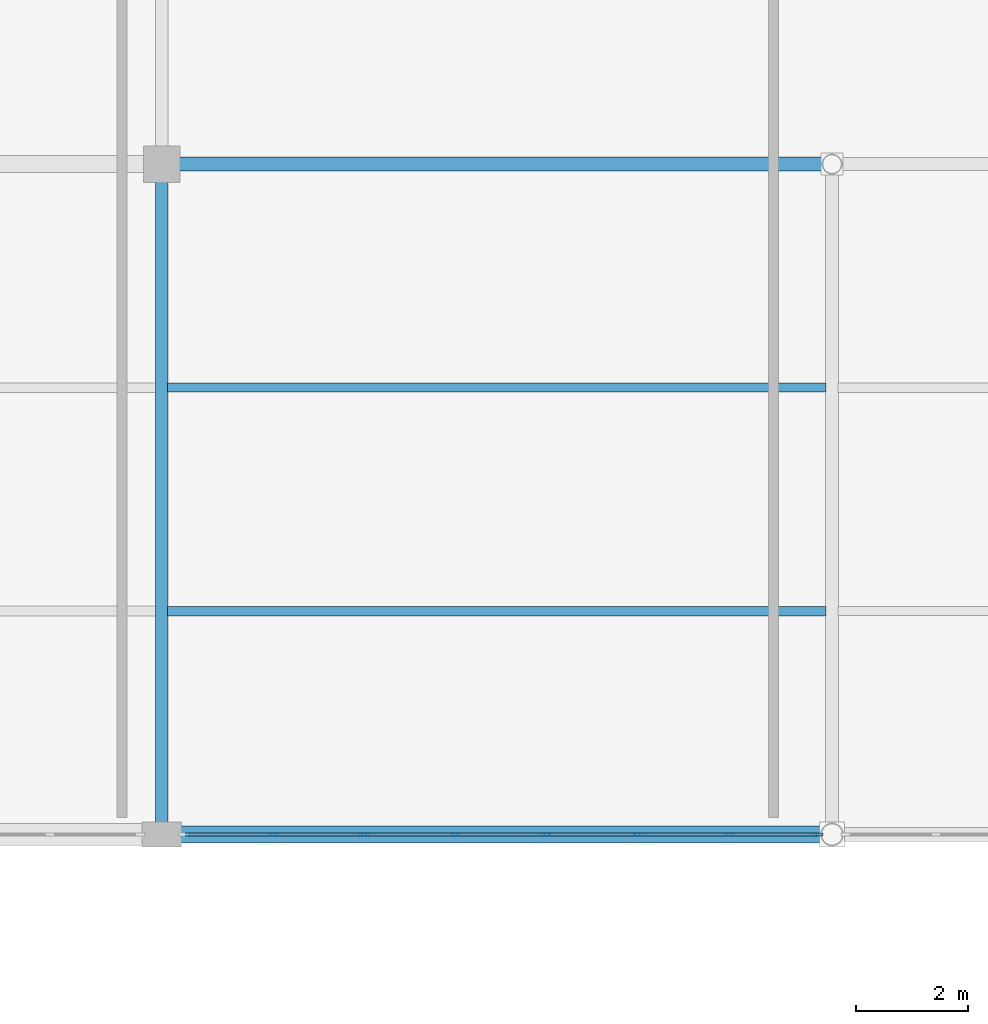
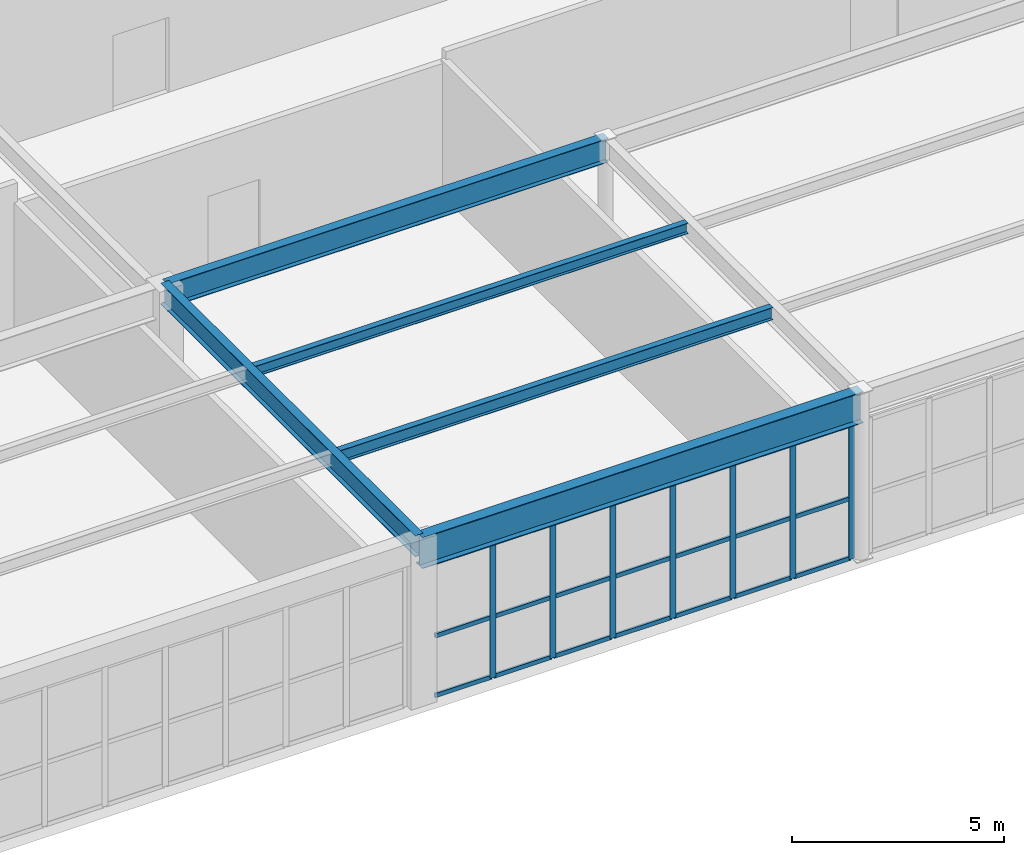
# One storey, part 75 of 186: 28 members, 5 beams, 1 element without a shape of its own.
"""IFC4 building model written with IfcOpenShell, lengths in metres."""

from ifc_helpers import new_model, si_unit, direction, frame, origin, origin_2d, place, context, subcontext, project, spatial, rectangle, i_section, extrude, material, layer, layer_set, material_profile, profile_set, type_object, element, aggregate, save


model = new_model("IFC4")

# Units and contexts
model_context = context("Model", 3, precision=1e-05, world=origin(), true_north=direction((0.0, 1.0)))
body_context = subcontext(model_context, "Body", "Model", "MODEL_VIEW")
ifc_project = project(units=[si_unit("LENGTHUNIT", "METRE"), si_unit("AREAUNIT", "SQUARE_METRE"), si_unit("VOLUMEUNIT", "CUBIC_METRE"), si_unit("PLANEANGLEUNIT", "RADIAN"), si_unit("MASSUNIT", "GRAM", prefix="KILO")], contexts=[model_context])

# Site, building, storey
site_placement = place(None, origin())
site = spatial("IfcSite", under=ifc_project, at=site_placement, CompositionType="ELEMENT")
building_placement = place(site_placement, origin())
building = spatial("IfcBuilding", under=site, at=building_placement, Name="Tarnwether General Hospital", CompositionType="ELEMENT")
storey_placement = place(building_placement, frame((0.0, 0.0, 9.60009765625)))
storey = spatial("IfcBuildingStorey", under=building, at=storey_placement, Name="L02", CompositionType="ELEMENT", Elevation=9.60009765625)

# Beams
ifc_material_1 = material(Name="Steel Grade 350 (350 MPa)", Category="steel")
ifc_material_profile_1 = material_profile(ifc_material_1, i_section(OverallWidth=0.300048828125, OverallDepth=0.89990234375, WebThickness=0.011962890625, FlangeThickness=0.02001953125, at=origin_2d()), Name="900WB175")
ifc_profile_set_1 = profile_set([ifc_material_profile_1], Name="Steel Grade 350 (350 MPa)")
beam_type_1 = type_object("IfcBeamType", Name="BM-G01", PredefinedType="BEAM", material=ifc_profile_set_1)
beam_1_placement = place(storey_placement, frame((84.0, 81.60009765625, 4.349853515625), z_axis=(1.0, 0.0, 0.0), x_axis=(0.0, 1.0, 0.0)))
element("IfcBeam", 1, at=beam_1_placement, inside=storey, type_object=beam_type_1, Name="Primary Girder BMG-L02-8400_8160-9600_8160-1513", PredefinedType="BEAM", context=body_context, shape_type="SweptSolid", body=[
    extrude(i_section(OverallWidth=0.300048828125, OverallDepth=0.89990234375, WebThickness=0.011962890625, FlangeThickness=0.02001953125, at=origin_2d()), origin(), (0.0, 0.0, 1.0), 12.0),
])
ifc_material_2 = material(Name="Steel Grade 350 (350 MPa)", Category="steel")
ifc_material_profile_2 = material_profile(ifc_material_2, i_section(OverallWidth=0.25, OverallDepth=0.69189453125, WebThickness=0.009033203125, FlangeThickness=0.01611328125, at=origin_2d()), Name="700WB115")
ifc_profile_set_2 = profile_set([ifc_material_profile_2], Name="Steel Grade 350 (350 MPa)")
beam_type_2 = type_object("IfcBeamType", Name="BM-G02", PredefinedType="BEAM", material=ifc_profile_set_2)
beam_2_placement = place(storey_placement, frame((84.0, 93.60009765625, 4.453857421875), z_axis=(1.0, 0.0, 0.0), x_axis=(0.0, 1.0, 0.0)))
element("IfcBeam", 2, at=beam_2_placement, inside=storey, type_object=beam_type_2, Name="Primary Girder BMG-L02-8400_9360-9600_9360-1515", PredefinedType="BEAM", context=body_context, shape_type="SweptSolid", body=[
    extrude(i_section(OverallWidth=0.25, OverallDepth=0.69189453125, WebThickness=0.009033203125, FlangeThickness=0.01611328125, at=origin_2d()), origin(), (0.0, 0.0, 1.0), 12.0),
])
ifc_material_3 = material(Name="Steel Grade 350 (350 MPa)", Category="steel")
ifc_material_profile_3 = material_profile(ifc_material_3, i_section(OverallWidth=0.22802734375, OverallDepth=0.60693359375, WebThickness=0.01123046875, FlangeThickness=0.017333984375, at=origin_2d()), Name="610UB113")
ifc_profile_set_3 = profile_set([ifc_material_profile_3], Name="Steel Grade 350 (350 MPa)")
beam_type_3 = type_object("IfcBeamType", Name="BM-G04", PredefinedType="BEAM", material=ifc_profile_set_3)
beam_3_placement = place(storey_placement, frame((84.0, 81.60009765625, 4.496337890625), z_axis=(0.0, 1.0, 0.0), x_axis=(-1.0, 0.0, 0.0)))
element("IfcBeam", 3, at=beam_3_placement, inside=storey, type_object=beam_type_3, Name="Primary Girder BMG-L02-8400_8160-8400_9360-1514", PredefinedType="BEAM", context=body_context, shape_type="SweptSolid", body=[
    extrude(i_section(OverallWidth=0.22802734375, OverallDepth=0.60693359375, WebThickness=0.01123046875, FlangeThickness=0.017333984375, at=origin_2d()), origin(), (0.0, 0.0, 1.0), 12.0),
])
ifc_material_4 = material(Name="Steel Grade 350 (350 MPa)", Category="steel")
ifc_material_profile_4 = material_profile(ifc_material_4, i_section(OverallWidth=0.1708984375, OverallDepth=0.35595703125, WebThickness=0.00732421875, FlangeThickness=0.011474609375, at=origin_2d()), Name="360UB50.7")
ifc_profile_set_4 = profile_set([ifc_material_profile_4], Name="Steel Grade 350 (350 MPa)")
beam_type_4 = type_object("IfcBeamType", Name="BM-J04", PredefinedType="JOIST", material=ifc_profile_set_4)
beam_4_placement = place(storey_placement, frame((84.10791015625, 85.60009765625, 4.621826171875), z_axis=(1.0, 0.0, 0.0), x_axis=(0.0, 1.0, 0.0)))
element("IfcBeam", 4, at=beam_4_placement, inside=storey, type_object=beam_type_4, Name="Composite Floor Joist BMG-L02-8411_8560-9589_8560-1690", PredefinedType="JOIST", context=body_context, shape_type="SweptSolid", body=[
    extrude(i_section(OverallWidth=0.1708984375, OverallDepth=0.35595703125, WebThickness=0.00732421875, FlangeThickness=0.011474609375, at=origin_2d()), origin(), (0.0, 0.0, 1.0), 11.7841796875),
])
ifc_material_5 = material(Name="Steel Grade 350 (350 MPa)", Category="steel")
ifc_material_profile_5 = material_profile(ifc_material_5, i_section(OverallWidth=0.166015625, OverallDepth=0.306884765625, WebThickness=0.006591796875, FlangeThickness=0.01171875, at=origin_2d()), Name="310UB46.2")
ifc_profile_set_5 = profile_set([ifc_material_profile_5], Name="Steel Grade 350 (350 MPa)")
beam_type_5 = type_object("IfcBeamType", Name="BM-J05", PredefinedType="JOIST", material=ifc_profile_set_5)
beam_5_placement = place(storey_placement, frame((84.10791015625, 89.60009765625, 4.646484375), z_axis=(1.0, 0.0, 0.0), x_axis=(0.0, 1.0, 0.0)))
element("IfcBeam", 5, at=beam_5_placement, inside=storey, type_object=beam_type_5, Name="Composite Floor Joist BMG-L02-8411_8960-9589_8960-1691", PredefinedType="JOIST", context=body_context, shape_type="SweptSolid", body=[
    extrude(i_section(OverallWidth=0.166015625, OverallDepth=0.306884765625, WebThickness=0.006591796875, FlangeThickness=0.01171875, at=origin_2d()), origin(), (0.0, 0.0, 1.0), 11.7841796875),
])

# Curtain wall, members
ifc_material_6 = material(Name="Anodised aluminium", Category="aluminium")
ifc_layer = layer(ifc_material_6, 0.159912109375)
ifc_layer_set = layer_set([ifc_layer], Name="Anodised aluminium")
curtain_wall_type = type_object("IfcCurtainWallType", Name="CW-23", PredefinedType="NOTDEFINED", material=ifc_layer_set)
curtain_wall_placement = place(storey_placement, origin())
curtain_wall = element("IfcCurtainWall", 6, at=curtain_wall_placement, inside=storey, type_object=curtain_wall_type, Name="Curtain Wall CWG-L02-844_816-0428", PredefinedType="NOTDEFINED")
ifc_material_7 = material(Name="Anodised aluminium", Category="aluminium")
ifc_material_profile_6 = material_profile(ifc_material_7, rectangle(XDim=0.06005859375, YDim=0.159912109375, at=origin_2d()), Name="ALU-MUL-60x160")
ifc_profile_set_6 = profile_set([ifc_material_profile_6], Name="Anodised aluminium")
member_type_1 = type_object("IfcMemberType", Name="CW-ML1", PredefinedType="MULLION", material=ifc_profile_set_6)
member_1_placement = place(storey_placement, frame((85.990966796875, 81.60009765625, 0.0), z_axis=(0.0, 0.0, 1.0), x_axis=(0.0, 1.0, 0.0)))
member_1 = element("IfcMember", 7, at=member_1_placement, type_object=member_type_1, Name="CW-23 mullion 2", PredefinedType="MULLION", context=body_context, shape_type="SweptSolid", body=[
    extrude(rectangle(XDim=0.06005859375, YDim=0.159912109375, at=origin_2d()), origin(), (0.0, 0.0, 1.0), 3.885009765625),
])
member_2_placement = place(storey_placement, frame((87.6240234375, 81.60009765625, 0.0), z_axis=(0.0, 0.0, 1.0), x_axis=(0.0, 1.0, 0.0)))
member_2 = element("IfcMember", 8, at=member_2_placement, type_object=member_type_1, Name="CW-23 mullion 3", PredefinedType="MULLION", context=body_context, shape_type="SweptSolid", body=[
    extrude(rectangle(XDim=0.06005859375, YDim=0.159912109375, at=origin_2d()), origin(), (0.0, 0.0, 1.0), 3.885009765625),
])
member_3_placement = place(storey_placement, frame((89.257080078125, 81.60009765625, 0.0), z_axis=(0.0, 0.0, 1.0), x_axis=(0.0, 1.0, 0.0)))
member_3 = element("IfcMember", 9, at=member_3_placement, type_object=member_type_1, Name="CW-23 mullion 4", PredefinedType="MULLION", context=body_context, shape_type="SweptSolid", body=[
    extrude(rectangle(XDim=0.06005859375, YDim=0.159912109375, at=origin_2d()), origin(), (0.0, 0.0, 1.0), 3.885009765625),
])
member_4_placement = place(storey_placement, frame((90.889892578125, 81.60009765625, 0.0), z_axis=(0.0, 0.0, 1.0), x_axis=(0.0, 1.0, 0.0)))
member_4 = element("IfcMember", 10, at=member_4_placement, type_object=member_type_1, Name="CW-23 mullion 5", PredefinedType="MULLION", context=body_context, shape_type="SweptSolid", body=[
    extrude(rectangle(XDim=0.06005859375, YDim=0.159912109375, at=origin_2d()), origin(), (0.0, 0.0, 1.0), 3.885009765625),
])
member_5_placement = place(storey_placement, frame((92.52294921875, 81.60009765625, 0.0), z_axis=(0.0, 0.0, 1.0), x_axis=(0.0, 1.0, 0.0)))
member_5 = element("IfcMember", 11, at=member_5_placement, type_object=member_type_1, Name="CW-23 mullion 6", PredefinedType="MULLION", context=body_context, shape_type="SweptSolid", body=[
    extrude(rectangle(XDim=0.06005859375, YDim=0.159912109375, at=origin_2d()), origin(), (0.0, 0.0, 1.0), 3.885009765625),
])
member_6_placement = place(storey_placement, frame((94.156005859375, 81.60009765625, 0.0), z_axis=(0.0, 0.0, 1.0), x_axis=(0.0, 1.0, 0.0)))
member_6 = element("IfcMember", 12, at=member_6_placement, type_object=member_type_1, Name="CW-23 mullion 7", PredefinedType="MULLION", context=body_context, shape_type="SweptSolid", body=[
    extrude(rectangle(XDim=0.06005859375, YDim=0.159912109375, at=origin_2d()), origin(), (0.0, 0.0, 1.0), 3.885009765625),
])
member_7_placement = place(storey_placement, frame((95.759033203125, 81.60009765625, 0.0), z_axis=(0.0, 0.0, 1.0), x_axis=(0.0, 1.0, 0.0)))
member_7 = element("IfcMember", 13, at=member_7_placement, type_object=member_type_1, Name="CW-23 mullion 8", PredefinedType="MULLION", context=body_context, shape_type="SweptSolid", body=[
    extrude(rectangle(XDim=0.06005859375, YDim=0.159912109375, at=origin_2d()), origin(), (0.0, 0.0, 1.0), 3.885009765625),
])
ifc_material_8 = material(Name="Anodised aluminium", Category="aluminium")
ifc_material_profile_7 = material_profile(ifc_material_8, rectangle(XDim=0.06005859375, YDim=0.1201171875, at=origin_2d()), Name="ALU-TRN-60x120")
ifc_profile_set_7 = profile_set([ifc_material_profile_7], Name="Anodised aluminium")
member_type_2 = type_object("IfcMemberType", Name="CW-TR1", PredefinedType="USERDEFINED", material=ifc_profile_set_7)
member_8_placement = place(storey_placement, frame((84.41796875, 81.60009765625, 0.02978515625), z_axis=(1.0, 0.0, 0.0), x_axis=(0.0, 1.0, 0.0)))
member_8 = element("IfcMember", 14, at=member_8_placement, type_object=member_type_2, Name="CW-23 transom 1.1", ObjectType="TRANSOM", PredefinedType="USERDEFINED", context=body_context, shape_type="SweptSolid", body=[
    extrude(rectangle(XDim=0.06005859375, YDim=0.1201171875, at=origin_2d()), origin(), (0.0, 0.0, 1.0), 1.54296875),
])
member_9_placement = place(storey_placement, frame((84.41796875, 81.60009765625, 1.748291015625), z_axis=(1.0, 0.0, 0.0), x_axis=(0.0, 1.0, 0.0)))
member_9 = element("IfcMember", 15, at=member_9_placement, type_object=member_type_2, Name="CW-23 transom 1.2", ObjectType="TRANSOM", PredefinedType="USERDEFINED", context=body_context, shape_type="SweptSolid", body=[
    extrude(rectangle(XDim=0.06005859375, YDim=0.1201171875, at=origin_2d()), origin(), (0.0, 0.0, 1.0), 1.54296875),
])
member_10_placement = place(storey_placement, frame((84.41796875, 81.60009765625, 3.85498046875), z_axis=(1.0, 0.0, 0.0), x_axis=(0.0, 1.0, 0.0)))
member_10 = element("IfcMember", 16, at=member_10_placement, type_object=member_type_2, Name="CW-23 transom 1.3", ObjectType="TRANSOM", PredefinedType="USERDEFINED", context=body_context, shape_type="SweptSolid", body=[
    extrude(rectangle(XDim=0.06005859375, YDim=0.1201171875, at=origin_2d()), origin(), (0.0, 0.0, 1.0), 1.54296875),
])
member_11_placement = place(storey_placement, frame((86.02099609375, 81.60009765625, 0.02978515625), z_axis=(1.0, 0.0, 0.0), x_axis=(0.0, 1.0, 0.0)))
member_11 = element("IfcMember", 17, at=member_11_placement, type_object=member_type_2, Name="CW-23 transom 2.1", ObjectType="TRANSOM", PredefinedType="USERDEFINED", context=body_context, shape_type="SweptSolid", body=[
    extrude(rectangle(XDim=0.06005859375, YDim=0.1201171875, at=origin_2d()), origin(), (0.0, 0.0, 1.0), 1.572998046875),
])
member_12_placement = place(storey_placement, frame((86.02099609375, 81.60009765625, 1.748291015625), z_axis=(1.0, 0.0, 0.0), x_axis=(0.0, 1.0, 0.0)))
member_12 = element("IfcMember", 18, at=member_12_placement, type_object=member_type_2, Name="CW-23 transom 2.2", ObjectType="TRANSOM", PredefinedType="USERDEFINED", context=body_context, shape_type="SweptSolid", body=[
    extrude(rectangle(XDim=0.06005859375, YDim=0.1201171875, at=origin_2d()), origin(), (0.0, 0.0, 1.0), 1.572998046875),
])
member_13_placement = place(storey_placement, frame((86.02099609375, 81.60009765625, 3.85498046875), z_axis=(1.0, 0.0, 0.0), x_axis=(0.0, 1.0, 0.0)))
member_13 = element("IfcMember", 19, at=member_13_placement, type_object=member_type_2, Name="CW-23 transom 2.3", ObjectType="TRANSOM", PredefinedType="USERDEFINED", context=body_context, shape_type="SweptSolid", body=[
    extrude(rectangle(XDim=0.06005859375, YDim=0.1201171875, at=origin_2d()), origin(), (0.0, 0.0, 1.0), 1.572998046875),
])
member_14_placement = place(storey_placement, frame((87.654052734375, 81.60009765625, 0.02978515625), z_axis=(1.0, 0.0, 0.0), x_axis=(0.0, 1.0, 0.0)))
member_14 = element("IfcMember", 20, at=member_14_placement, type_object=member_type_2, Name="CW-23 transom 3.1", ObjectType="TRANSOM", PredefinedType="USERDEFINED", context=body_context, shape_type="SweptSolid", body=[
    extrude(rectangle(XDim=0.06005859375, YDim=0.1201171875, at=origin_2d()), origin(), (0.0, 0.0, 1.0), 1.572998046875),
])
member_15_placement = place(storey_placement, frame((87.654052734375, 81.60009765625, 1.748291015625), z_axis=(1.0, 0.0, 0.0), x_axis=(0.0, 1.0, 0.0)))
member_15 = element("IfcMember", 21, at=member_15_placement, type_object=member_type_2, Name="CW-23 transom 3.2", ObjectType="TRANSOM", PredefinedType="USERDEFINED", context=body_context, shape_type="SweptSolid", body=[
    extrude(rectangle(XDim=0.06005859375, YDim=0.1201171875, at=origin_2d()), origin(), (0.0, 0.0, 1.0), 1.572998046875),
])
member_16_placement = place(storey_placement, frame((87.654052734375, 81.60009765625, 3.85498046875), z_axis=(1.0, 0.0, 0.0), x_axis=(0.0, 1.0, 0.0)))
member_16 = element("IfcMember", 22, at=member_16_placement, type_object=member_type_2, Name="CW-23 transom 3.3", ObjectType="TRANSOM", PredefinedType="USERDEFINED", context=body_context, shape_type="SweptSolid", body=[
    extrude(rectangle(XDim=0.06005859375, YDim=0.1201171875, at=origin_2d()), origin(), (0.0, 0.0, 1.0), 1.572998046875),
])
member_17_placement = place(storey_placement, frame((89.287109375, 81.60009765625, 0.02978515625), z_axis=(1.0, 0.0, 0.0), x_axis=(0.0, 1.0, 0.0)))
member_17 = element("IfcMember", 23, at=member_17_placement, type_object=member_type_2, Name="CW-23 transom 4.1", ObjectType="TRANSOM", PredefinedType="USERDEFINED", context=body_context, shape_type="SweptSolid", body=[
    extrude(rectangle(XDim=0.06005859375, YDim=0.1201171875, at=origin_2d()), origin(), (0.0, 0.0, 1.0), 1.572998046875),
])
member_18_placement = place(storey_placement, frame((89.287109375, 81.60009765625, 1.748291015625), z_axis=(1.0, 0.0, 0.0), x_axis=(0.0, 1.0, 0.0)))
member_18 = element("IfcMember", 24, at=member_18_placement, type_object=member_type_2, Name="CW-23 transom 4.2", ObjectType="TRANSOM", PredefinedType="USERDEFINED", context=body_context, shape_type="SweptSolid", body=[
    extrude(rectangle(XDim=0.06005859375, YDim=0.1201171875, at=origin_2d()), origin(), (0.0, 0.0, 1.0), 1.572998046875),
])
member_19_placement = place(storey_placement, frame((89.287109375, 81.60009765625, 3.85498046875), z_axis=(1.0, 0.0, 0.0), x_axis=(0.0, 1.0, 0.0)))
member_19 = element("IfcMember", 25, at=member_19_placement, type_object=member_type_2, Name="CW-23 transom 4.3", ObjectType="TRANSOM", PredefinedType="USERDEFINED", context=body_context, shape_type="SweptSolid", body=[
    extrude(rectangle(XDim=0.06005859375, YDim=0.1201171875, at=origin_2d()), origin(), (0.0, 0.0, 1.0), 1.572998046875),
])
member_20_placement = place(storey_placement, frame((90.919921875, 81.60009765625, 0.02978515625), z_axis=(1.0, 0.0, 0.0), x_axis=(0.0, 1.0, 0.0)))
member_20 = element("IfcMember", 26, at=member_20_placement, type_object=member_type_2, Name="CW-23 transom 5.1", ObjectType="TRANSOM", PredefinedType="USERDEFINED", context=body_context, shape_type="SweptSolid", body=[
    extrude(rectangle(XDim=0.06005859375, YDim=0.1201171875, at=origin_2d()), origin(), (0.0, 0.0, 1.0), 1.572998046875),
])
member_21_placement = place(storey_placement, frame((90.919921875, 81.60009765625, 1.748291015625), z_axis=(1.0, 0.0, 0.0), x_axis=(0.0, 1.0, 0.0)))
member_21 = element("IfcMember", 27, at=member_21_placement, type_object=member_type_2, Name="CW-23 transom 5.2", ObjectType="TRANSOM", PredefinedType="USERDEFINED", context=body_context, shape_type="SweptSolid", body=[
    extrude(rectangle(XDim=0.06005859375, YDim=0.1201171875, at=origin_2d()), origin(), (0.0, 0.0, 1.0), 1.572998046875),
])
member_22_placement = place(storey_placement, frame((90.919921875, 81.60009765625, 3.85498046875), z_axis=(1.0, 0.0, 0.0), x_axis=(0.0, 1.0, 0.0)))
member_22 = element("IfcMember", 28, at=member_22_placement, type_object=member_type_2, Name="CW-23 transom 5.3", ObjectType="TRANSOM", PredefinedType="USERDEFINED", context=body_context, shape_type="SweptSolid", body=[
    extrude(rectangle(XDim=0.06005859375, YDim=0.1201171875, at=origin_2d()), origin(), (0.0, 0.0, 1.0), 1.572998046875),
])
member_23_placement = place(storey_placement, frame((92.552978515625, 81.60009765625, 0.02978515625), z_axis=(1.0, 0.0, 0.0), x_axis=(0.0, 1.0, 0.0)))
member_23 = element("IfcMember", 29, at=member_23_placement, type_object=member_type_2, Name="CW-23 transom 6.1", ObjectType="TRANSOM", PredefinedType="USERDEFINED", context=body_context, shape_type="SweptSolid", body=[
    extrude(rectangle(XDim=0.06005859375, YDim=0.1201171875, at=origin_2d()), origin(), (0.0, 0.0, 1.0), 1.572998046875),
])
member_24_placement = place(storey_placement, frame((92.552978515625, 81.60009765625, 1.748291015625), z_axis=(1.0, 0.0, 0.0), x_axis=(0.0, 1.0, 0.0)))
member_24 = element("IfcMember", 30, at=member_24_placement, type_object=member_type_2, Name="CW-23 transom 6.2", ObjectType="TRANSOM", PredefinedType="USERDEFINED", context=body_context, shape_type="SweptSolid", body=[
    extrude(rectangle(XDim=0.06005859375, YDim=0.1201171875, at=origin_2d()), origin(), (0.0, 0.0, 1.0), 1.572998046875),
])
member_25_placement = place(storey_placement, frame((92.552978515625, 81.60009765625, 3.85498046875), z_axis=(1.0, 0.0, 0.0), x_axis=(0.0, 1.0, 0.0)))
member_25 = element("IfcMember", 31, at=member_25_placement, type_object=member_type_2, Name="CW-23 transom 6.3", ObjectType="TRANSOM", PredefinedType="USERDEFINED", context=body_context, shape_type="SweptSolid", body=[
    extrude(rectangle(XDim=0.06005859375, YDim=0.1201171875, at=origin_2d()), origin(), (0.0, 0.0, 1.0), 1.572998046875),
])
member_26_placement = place(storey_placement, frame((94.18603515625, 81.60009765625, 0.02978515625), z_axis=(1.0, 0.0, 0.0), x_axis=(0.0, 1.0, 0.0)))
member_26 = element("IfcMember", 32, at=member_26_placement, type_object=member_type_2, Name="CW-23 transom 7.1", ObjectType="TRANSOM", PredefinedType="USERDEFINED", context=body_context, shape_type="SweptSolid", body=[
    extrude(rectangle(XDim=0.06005859375, YDim=0.1201171875, at=origin_2d()), origin(), (0.0, 0.0, 1.0), 1.54296875),
])
member_27_placement = place(storey_placement, frame((94.18603515625, 81.60009765625, 1.748291015625), z_axis=(1.0, 0.0, 0.0), x_axis=(0.0, 1.0, 0.0)))
member_27 = element("IfcMember", 33, at=member_27_placement, type_object=member_type_2, Name="CW-23 transom 7.2", ObjectType="TRANSOM", PredefinedType="USERDEFINED", context=body_context, shape_type="SweptSolid", body=[
    extrude(rectangle(XDim=0.06005859375, YDim=0.1201171875, at=origin_2d()), origin(), (0.0, 0.0, 1.0), 1.54296875),
])
member_28_placement = place(storey_placement, frame((94.18603515625, 81.60009765625, 3.85498046875), z_axis=(1.0, 0.0, 0.0), x_axis=(0.0, 1.0, 0.0)))
member_28 = element("IfcMember", 34, at=member_28_placement, type_object=member_type_2, Name="CW-23 transom 7.3", ObjectType="TRANSOM", PredefinedType="USERDEFINED", context=body_context, shape_type="SweptSolid", body=[
    extrude(rectangle(XDim=0.06005859375, YDim=0.1201171875, at=origin_2d()), origin(), (0.0, 0.0, 1.0), 1.54296875),
])
aggregate(curtain_wall, [member_1, member_2, member_3, member_4, member_5, member_6, member_7, member_8, member_9, member_10, member_11, member_12, member_13, member_14, member_15, member_16, member_17, member_18, member_19, member_20, member_21, member_22, member_23, member_24, member_25, member_26, member_27, member_28])

save(model, "model.ifc")
